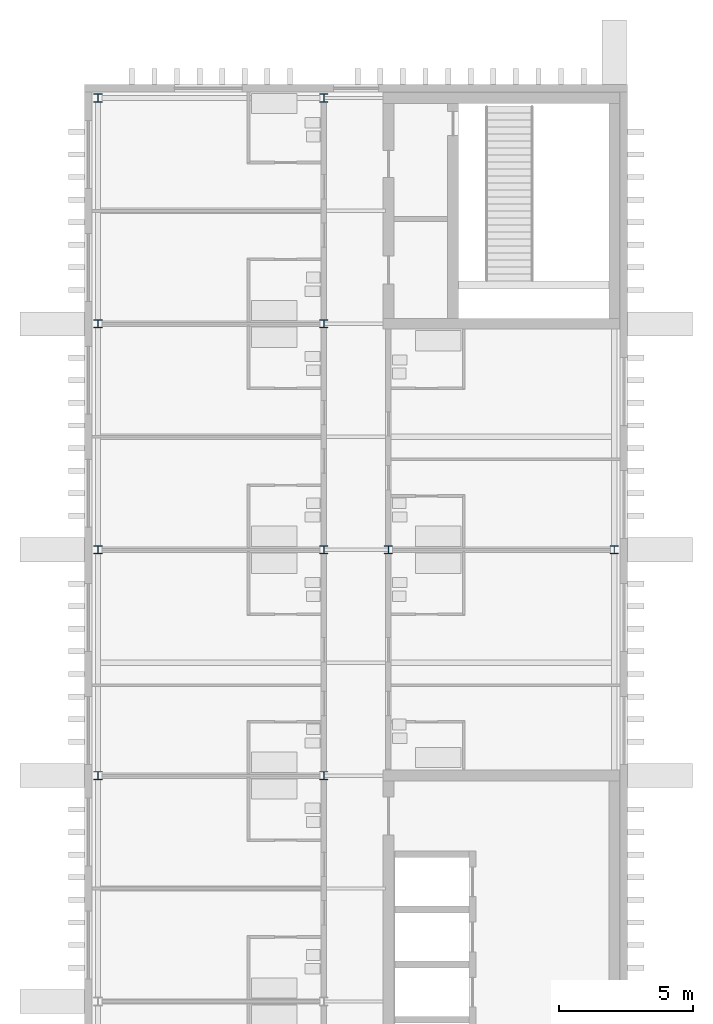
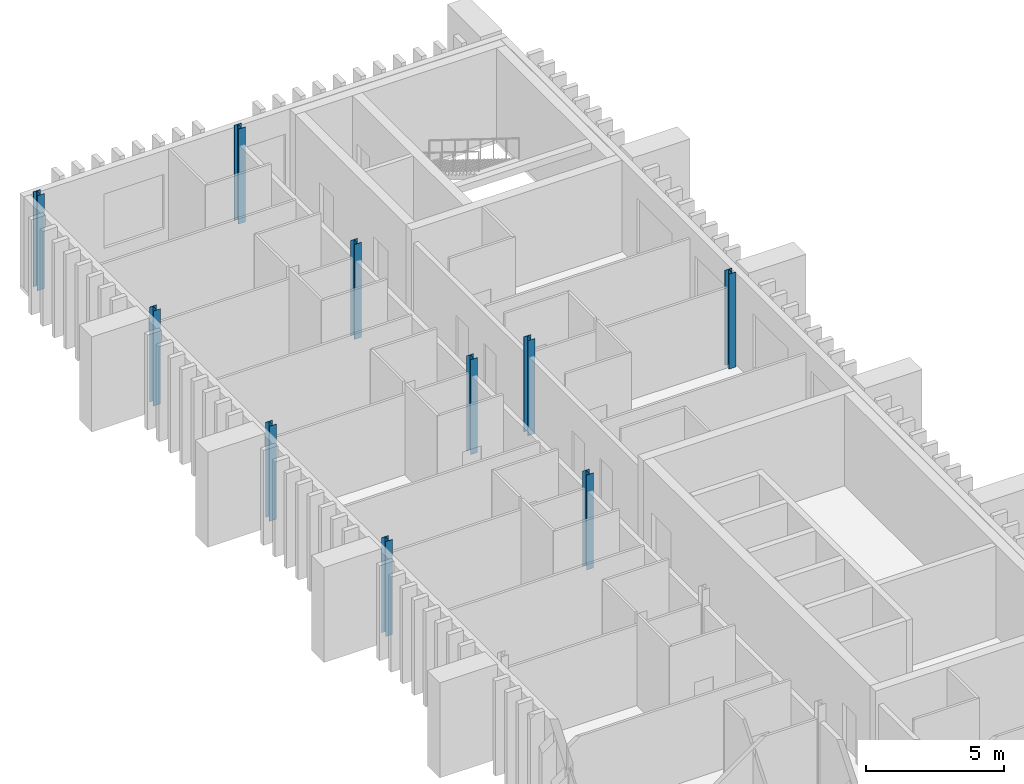
# One storey, part 2 of 11: 10 columns.
"""IFC4 building model written with IfcOpenShell, lengths in metres."""

from ifc_helpers import new_model, si_unit, direction, frame, origin, origin_2d, place, context, subcontext, project, spatial, i_section, extrude, material, material_profile, profile_set, type_object, element, save


model = new_model("IFC4")

# Units and contexts
model_context = context("Model", 3, precision=1e-05, world=origin(), true_north=direction((0.0, 1.0)))
body_context = subcontext(model_context, "Body", "Model", "MODEL_VIEW")
ifc_project = project(units=[si_unit("LENGTHUNIT", "METRE"), si_unit("AREAUNIT", "SQUARE_METRE"), si_unit("VOLUMEUNIT", "CUBIC_METRE"), si_unit("PLANEANGLEUNIT", "RADIAN"), si_unit("MASSUNIT", "GRAM", prefix="KILO")], contexts=[model_context])

# Site, building, storey
site_placement = place(None, origin())
site = spatial("IfcSite", under=ifc_project, at=site_placement, CompositionType="ELEMENT")
building_placement = place(site_placement, origin())
building = spatial("IfcBuilding", under=site, at=building_placement, Name="Cresset Court Congress Hotel", CompositionType="ELEMENT")
storey_placement = place(building_placement, frame((0.0, 0.0, 60.60009765625)))
storey = spatial("IfcBuildingStorey", under=building, at=storey_placement, Name="L14", CompositionType="ELEMENT", Elevation=60.60009765625)

# Columns
ifc_material = material(Name="Structural steel Q355B", Category="steel")
ifc_material_profile = material_profile(ifc_material, i_section(OverallWidth=0.300048828125, OverallDepth=0.300048828125, WebThickness=0.010009765625, FlangeThickness=0.014892578125, FilletRadius=0.012939453125, at=origin_2d()), Name="HW300x300x10x15")
ifc_profile_set = profile_set([ifc_material_profile], Name="Structural steel Q355B")
column_type = type_object("IfcColumnType", Name="Steel column HW300x300x10x15", PredefinedType="COLUMN", material=ifc_profile_set)
for number, where, z_axis, x_axis, name in (
    (1, (157.199951171875, 42.0, 0.0), (0.0, 0.0, 1.0), (1.0, 0.0, 0.0), "Column L14 6-20"),
    (2, (157.199951171875, 50.39990234375, 0.0), (0.0, 0.0, 1.0), (1.0, 0.0, 0.0), "Column L14 7-20"),
    (3, (157.199951171875, 58.800048828125, 0.0), (0.0, 0.0, 1.0), (1.0, 0.0, 0.0), "Column L14 8-20"),
    (4, (157.199951171875, 67.199951171875, 0.0), (0.0, 0.0, 1.0), (1.0, 0.0, 0.0), "Column L14 9-20"),
    (5, (165.60009765625, 42.0, 0.0), (0.0, 0.0, 1.0), (1.0, 0.0, 0.0), "Column L14 6-21"),
    (6, (165.60009765625, 50.39990234375, 0.0), (0.0, 0.0, 1.0), (1.0, 0.0, 0.0), "Column L14 7-21"),
    (7, (165.60009765625, 58.800048828125, 0.0), (0.0, 0.0, 1.0), (1.0, 0.0, 0.0), "Column L14 8-21"),
    (8, (165.60009765625, 67.199951171875, 0.0), (0.0, 0.0, 1.0), (1.0, 0.0, 0.0), "Column L14 9-21"),
    (9, (168.0, 50.39990234375, 0.0), (0.0, 0.0, 1.0), (1.0, 0.0, 0.0), "Column L14 7-22"),
    (10, (176.39990234375, 50.39990234375, 0.0), (0.0, 0.0, 1.0), (1.0, 0.0, 0.0), "Column L14 7-23"),
):
    element("IfcColumn", number, at=place(storey_placement, frame(where, z_axis=z_axis, x_axis=x_axis)), inside=storey, type_object=column_type, Name=name, PredefinedType="COLUMN", context=body_context, shape_type="SweptSolid", body=[
        extrude(i_section(OverallWidth=0.300048828125, OverallDepth=0.300048828125, WebThickness=0.010009765625, FlangeThickness=0.014892578125, FilletRadius=0.012939453125, at=origin_2d()), origin(), (0.0, 0.0, 1.0), 4.199951171875),
    ])

save(model, "model.ifc")
